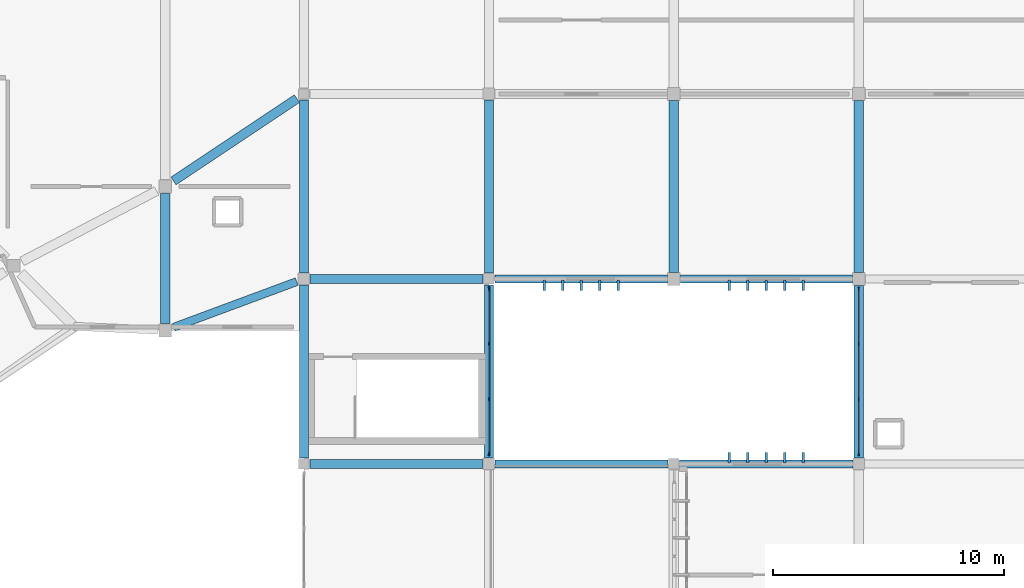
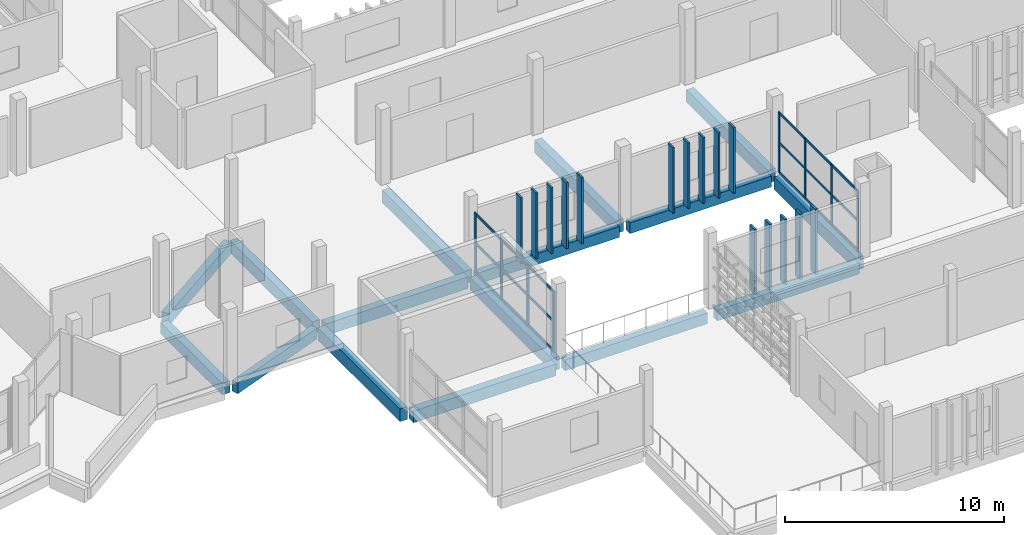
# One storey, part 10 of 63: 41 members, 16 beams, 2 elements without a shape of their own.
"""IFC4 building model written with IfcOpenShell, lengths in metres."""

from ifc_helpers import new_model, si_unit, direction, frame, origin, origin_2d, place, context, subcontext, project, spatial, rectangle, extrude, material, layer, layer_set, material_profile, profile_set, type_object, element, aggregate, save


model = new_model("IFC4")

# Units and contexts
model_context = context("Model", 3, precision=1e-05, world=origin(), true_north=direction((0.0, 1.0)))
body_context = subcontext(model_context, "Body", "Model", "MODEL_VIEW")
ifc_project = project(units=[si_unit("LENGTHUNIT", "METRE"), si_unit("AREAUNIT", "SQUARE_METRE"), si_unit("VOLUMEUNIT", "CUBIC_METRE"), si_unit("PLANEANGLEUNIT", "RADIAN"), si_unit("MASSUNIT", "GRAM", prefix="KILO")], contexts=[model_context])

# Site, building, storey
site_placement = place(None, origin())
site = spatial("IfcSite", under=ifc_project, at=site_placement, CompositionType="ELEMENT")
building_placement = place(site_placement, origin())
building = spatial("IfcBuilding", under=site, at=building_placement, Name="Jelvoka-Kovrelna Polytechnic", CompositionType="ELEMENT")
storey_placement = place(building_placement, frame((0.0, 0.0, 18.0)))
storey = spatial("IfcBuildingStorey", under=building, at=storey_placement, Name="L05", CompositionType="ELEMENT", Elevation=18.0)

# Beams
ifc_material_1 = material(Name="Concrete C40/50", Category="concrete")
ifc_material_profile_1 = material_profile(ifc_material_1, rectangle(XDim=0.39990234375, YDim=0.64990234375, at=origin_2d()), Name="RC 400x650")
ifc_profile_set_1 = profile_set([ifc_material_profile_1], Name="Concrete C40/50")
beam_type_1 = type_object("IfcBeamType", Name="Beam_RC_400x650", PredefinedType="BEAM", material=ifc_profile_set_1)
for number, where, z_axis, x_axis, name in (
    (1, (48.2548828125, 24.0, -0.574951171875), (1.0, 0.0, 0.0), (0.0, 1.0, 0.0), "L05 beam 1590"),
    (2, (48.2548828125, 32.0, -0.574951171875), (1.0, 0.0, 0.0), (0.0, 1.0, 0.0), "L05 beam 1591"),
):
    element("IfcBeam", number, at=place(storey_placement, frame(where, z_axis=z_axis, x_axis=x_axis)), inside=storey, type_object=beam_type_1, Name=name, PredefinedType="BEAM", context=body_context, shape_type="SweptSolid", body=[
        extrude(rectangle(XDim=0.39990234375, YDim=0.64990234375, at=origin_2d()), origin(), (0.0, 0.0, 1.0), 7.490234375),
    ])
beam_1_placement = place(storey_placement, frame((42.3583984375, 36.239013671875, -0.574951171875), z_axis=(0.832050294338, 0.554700196225, 0.0), x_axis=(-0.554700196225, 0.832050294338, 0.0)))
element("IfcBeam", 3, at=beam_1_placement, inside=storey, type_object=beam_type_1, Name="L05 beam 2664", PredefinedType="BEAM", context=body_context, shape_type="SweptSolid", body=[
    extrude(rectangle(XDim=0.39990234375, YDim=0.64990234375, at=origin_2d()), origin(), (0.0, 0.0, 1.0), 6.4189453125),
])
beam_2_placement = place(storey_placement, frame((42.0, 30.0771484375, -0.574951171875), z_axis=(0.0, 1.0, 0.0), x_axis=(-1.0, 0.0, 0.0)))
element("IfcBeam", 4, at=beam_2_placement, inside=storey, type_object=beam_type_1, Name="L05 beam 2665", PredefinedType="BEAM", context=body_context, shape_type="SweptSolid", body=[
    extrude(rectangle(XDim=0.39990234375, YDim=0.64990234375, at=origin_2d()), origin(), (0.0, 0.0, 1.0), 5.617919921875),
])
ifc_material_2 = material(Name="Concrete C40/50", Category="concrete")
ifc_material_profile_2 = material_profile(ifc_material_2, rectangle(XDim=0.39990234375, YDim=0.699951171875, at=origin_2d()), Name="RC 400x700")
ifc_profile_set_2 = profile_set([ifc_material_profile_2], Name="Concrete C40/50")
beam_type_2 = type_object("IfcBeamType", Name="Beam_RC_400x700", PredefinedType="BEAM", material=ifc_profile_set_2)
beam_3_placement = place(storey_placement, frame((56.0, 32.2548828125, -0.60009765625), z_axis=(0.0, 1.0, 0.0), x_axis=(-1.0, 0.0, 0.0)))
element("IfcBeam", 5, at=beam_3_placement, inside=storey, type_object=beam_type_2, Name="L05 beam 1443", PredefinedType="BEAM", context=body_context, shape_type="SweptSolid", body=[
    extrude(rectangle(XDim=0.39990234375, YDim=0.699951171875, at=origin_2d()), origin(), (0.0, 0.0, 1.0), 7.490234375),
])
for number, where, z_axis, x_axis, name in (
    (6, (64.0, 32.280029296875, -0.60009765625), (0.0, 1.0, 0.0), (-1.0, 0.0, 0.0), "L05 beam 1445"),
    (7, (72.0, 32.280029296875, -0.60009765625), (0.0, 1.0, 0.0), (-1.0, 0.0, 0.0), "L05 beam 1447"),
):
    element("IfcBeam", number, at=place(storey_placement, frame(where, z_axis=z_axis, x_axis=x_axis)), inside=storey, type_object=beam_type_2, Name=name, PredefinedType="BEAM", context=body_context, shape_type="SweptSolid", body=[
        extrude(rectangle(XDim=0.39990234375, YDim=0.699951171875, at=origin_2d()), origin(), (0.0, 0.0, 1.0), 7.43994140625),
    ])
for number, where, z_axis, x_axis, name in (
    (8, (48.0, 24.2548828125, -0.60009765625), (0.0, 1.0, 0.0), (-1.0, 0.0, 0.0), "L05 beam 1597"),
    (9, (48.0, 32.2548828125, -0.60009765625), (0.0, 1.0, 0.0), (-1.0, 0.0, 0.0), "L05 beam 1598"),
    (10, (56.0, 24.2548828125, -0.60009765625), (0.0, 1.0, 0.0), (-1.0, 0.0, 0.0), "L05 beam 1604"),
):
    element("IfcBeam", number, at=place(storey_placement, frame(where, z_axis=z_axis, x_axis=x_axis)), inside=storey, type_object=beam_type_2, Name=name, PredefinedType="BEAM", context=body_context, shape_type="SweptSolid", body=[
        extrude(rectangle(XDim=0.39990234375, YDim=0.699951171875, at=origin_2d()), origin(), (0.0, 0.0, 1.0), 7.490234375),
    ])
beam_4_placement = place(storey_placement, frame((72.0, 24.2548828125, -0.60009765625), z_axis=(0.0, 1.0, 0.0), x_axis=(-1.0, 0.0, 0.0)))
element("IfcBeam", 11, at=beam_4_placement, inside=storey, type_object=beam_type_2, Name="L05 beam 1606", PredefinedType="BEAM", context=body_context, shape_type="SweptSolid", body=[
    extrude(rectangle(XDim=0.39990234375, YDim=0.699951171875, at=origin_2d()), origin(), (0.0, 0.0, 1.0), 7.465087890625),
])

# Members
ifc_material_3 = material(Name="Precast concrete C40/50", Category="concrete")
ifc_material_profile_3 = material_profile(ifc_material_3, rectangle(XDim=0.10009765625, YDim=0.449951171875, at=origin_2d()), Name="PC 100x450")
ifc_profile_set_3 = profile_set([ifc_material_profile_3], Name="Precast concrete C40/50")
member_type_1 = type_object("IfcMemberType", Name="Louvre_Fin_100x450", PredefinedType="USERDEFINED", material=ifc_profile_set_3)
for number, where, z_axis, x_axis, name in (
    (12, (58.39990234375, 31.735107421875, -0.27001953125), (0.0, 0.0, 1.0), (1.0, 0.0, 0.0), "L05 B2W south vertical solar louvre fin 0751"),
    (13, (59.199951171875, 31.735107421875, -0.27001953125), (0.0, 0.0, 1.0), (1.0, 0.0, 0.0), "L05 B2W south vertical solar louvre fin 0752"),
    (14, (60.0, 31.735107421875, -0.27001953125), (0.0, 0.0, 1.0), (1.0, 0.0, 0.0), "L05 B2W south vertical solar louvre fin 0753"),
    (15, (60.800048828125, 31.735107421875, -0.27001953125), (0.0, 0.0, 1.0), (1.0, 0.0, 0.0), "L05 B2W south vertical solar louvre fin 0754"),
    (16, (61.60009765625, 31.735107421875, -0.27001953125), (0.0, 0.0, 1.0), (1.0, 0.0, 0.0), "L05 B2W south vertical solar louvre fin 0755"),
):
    element("IfcMember", number, at=place(storey_placement, frame(where, z_axis=z_axis, x_axis=x_axis)), inside=storey, type_object=member_type_1, Name=name, ObjectType="SUNSHADE", PredefinedType="USERDEFINED", context=body_context, shape_type="SweptSolid", body=[
        extrude(rectangle(XDim=0.10009765625, YDim=0.449951171875, at=origin_2d()), origin(), (0.0, 0.0, 1.0), 3.669921875),
    ])
for number, where, z_axis, x_axis, name in (
    (17, (66.39990234375, 31.735107421875, -0.27001953125), (0.0, 0.0, 1.0), (1.0, 0.0, 0.0), "L05 B2W south vertical solar louvre fin 0761"),
    (18, (67.199951171875, 31.735107421875, -0.27001953125), (0.0, 0.0, 1.0), (1.0, 0.0, 0.0), "L05 B2W south vertical solar louvre fin 0762"),
    (19, (68.0, 31.735107421875, -0.27001953125), (0.0, 0.0, 1.0), (1.0, 0.0, 0.0), "L05 B2W south vertical solar louvre fin 0763"),
    (20, (68.800048828125, 31.735107421875, -0.27001953125), (0.0, 0.0, 1.0), (1.0, 0.0, 0.0), "L05 B2W south vertical solar louvre fin 0764"),
    (21, (69.60009765625, 31.735107421875, -0.27001953125), (0.0, 0.0, 1.0), (1.0, 0.0, 0.0), "L05 B2W south vertical solar louvre fin 0765"),
):
    element("IfcMember", number, at=place(storey_placement, frame(where, z_axis=z_axis, x_axis=x_axis)), inside=storey, type_object=member_type_1, Name=name, ObjectType="SUNSHADE", PredefinedType="USERDEFINED", context=body_context, shape_type="SweptSolid", body=[
        extrude(rectangle(XDim=0.10009765625, YDim=0.449951171875, at=origin_2d()), origin(), (0.0, 0.0, 1.0), 3.655029296875),
    ])
ifc_material_4 = material(Name="Precast concrete C40/50", Category="concrete")
ifc_material_profile_4 = material_profile(ifc_material_4, rectangle(XDim=0.1201171875, YDim=0.449951171875, at=origin_2d()), Name="PC 120x450")
ifc_profile_set_4 = profile_set([ifc_material_profile_4], Name="Precast concrete C40/50")
member_type_2 = type_object("IfcMemberType", Name="Louvre_Fin_120x450", PredefinedType="USERDEFINED", material=ifc_profile_set_4)
for number, where, z_axis, x_axis, name in (
    (22, (66.39990234375, 24.264892578125, -0.27001953125), (0.0, 0.0, 1.0), (1.0, 0.0, 0.0), "L05 B1 north vertical solar louvre fin 0461"),
    (23, (67.199951171875, 24.264892578125, -0.27001953125), (0.0, 0.0, 1.0), (1.0, 0.0, 0.0), "L05 B1 north vertical solar louvre fin 0462"),
    (24, (68.0, 24.264892578125, -0.27001953125), (0.0, 0.0, 1.0), (1.0, 0.0, 0.0), "L05 B1 north vertical solar louvre fin 0463"),
    (25, (68.800048828125, 24.264892578125, -0.27001953125), (0.0, 0.0, 1.0), (1.0, 0.0, 0.0), "L05 B1 north vertical solar louvre fin 0464"),
    (26, (69.60009765625, 24.264892578125, -0.27001953125), (0.0, 0.0, 1.0), (1.0, 0.0, 0.0), "L05 B1 north vertical solar louvre fin 0465"),
):
    element("IfcMember", number, at=place(storey_placement, frame(where, z_axis=z_axis, x_axis=x_axis)), inside=storey, type_object=member_type_2, Name=name, ObjectType="SUNSHADE", PredefinedType="USERDEFINED", context=body_context, shape_type="SweptSolid", body=[
        extrude(rectangle(XDim=0.1201171875, YDim=0.449951171875, at=origin_2d()), origin(), (0.0, 0.0, 1.0), 3.655029296875),
    ])

# Curtain wall, members
ifc_material_5 = material(Name="Anodised aluminium 6063-T6", Category="aluminium")
ifc_layer_1 = layer(ifc_material_5, 0.159912109375)
ifc_layer_set_1 = layer_set([ifc_layer_1], Name="Anodised aluminium 6063-T6")
curtain_wall_type_1 = type_object("IfcCurtainWallType", Name="CW_LinkBridge", PredefinedType="NOTDEFINED", material=ifc_layer_set_1)
curtain_wall_1_placement = place(storey_placement, origin())
curtain_wall_1 = element("IfcCurtainWall", 27, at=curtain_wall_1_placement, inside=storey, type_object=curtain_wall_type_1, Name="L05 glazed curtain wall 148", PredefinedType="NOTDEFINED")
ifc_material_6 = material(Name="Anodised aluminium 6063-T6", Category="aluminium")
ifc_material_profile_5 = material_profile(ifc_material_6, rectangle(XDim=0.06005859375, YDim=0.159912109375, at=origin_2d()), Name="ALU 60x160")
ifc_profile_set_5 = profile_set([ifc_material_profile_5], Name="Anodised aluminium 6063-T6")
member_type_3 = type_object("IfcMemberType", Name="Mullion_M-04", PredefinedType="MULLION", material=ifc_profile_set_5)
member_1_placement = place(storey_placement, frame((72.0, 24.429931640625, -0.02490234375), z_axis=(0.0, 0.0, 1.0), x_axis=(-1.0, 0.0, 0.0)))
member_1 = element("IfcMember", 28, at=member_1_placement, type_object=member_type_3, Name="CW-04 mullion 1", PredefinedType="MULLION", context=body_context, shape_type="SweptSolid", body=[
    extrude(rectangle(XDim=0.06005859375, YDim=0.159912109375, at=origin_2d()), origin(), (0.0, 0.0, 1.0), 3.400146484375),
])
member_2_placement = place(storey_placement, frame((72.0, 26.800048828125, -0.02490234375), z_axis=(0.0, 0.0, 1.0), x_axis=(-1.0, 0.0, 0.0)))
member_2 = element("IfcMember", 29, at=member_2_placement, type_object=member_type_3, Name="CW-04 mullion 2", PredefinedType="MULLION", context=body_context, shape_type="SweptSolid", body=[
    extrude(rectangle(XDim=0.06005859375, YDim=0.159912109375, at=origin_2d()), origin(), (0.0, 0.0, 1.0), 3.400146484375),
])
member_3_placement = place(storey_placement, frame((72.0, 29.199951171875, -0.02490234375), z_axis=(0.0, 0.0, 1.0), x_axis=(-1.0, 0.0, 0.0)))
member_3 = element("IfcMember", 30, at=member_3_placement, type_object=member_type_3, Name="CW-04 mullion 3", PredefinedType="MULLION", context=body_context, shape_type="SweptSolid", body=[
    extrude(rectangle(XDim=0.06005859375, YDim=0.159912109375, at=origin_2d()), origin(), (0.0, 0.0, 1.0), 3.400146484375),
])
member_4_placement = place(storey_placement, frame((72.0, 31.570068359375, -0.02490234375), z_axis=(0.0, 0.0, 1.0), x_axis=(-1.0, 0.0, 0.0)))
member_4 = element("IfcMember", 31, at=member_4_placement, type_object=member_type_3, Name="CW-04 mullion 4", PredefinedType="MULLION", context=body_context, shape_type="SweptSolid", body=[
    extrude(rectangle(XDim=0.06005859375, YDim=0.159912109375, at=origin_2d()), origin(), (0.0, 0.0, 1.0), 3.400146484375),
])

ifc_material_7 = material(Name="Anodised aluminium 6063-T6", Category="aluminium")
ifc_layer_2 = layer(ifc_material_7, 0.179931640625)
ifc_layer_set_2 = layer_set([ifc_layer_2], Name="Anodised aluminium 6063-T6")
curtain_wall_type_2 = type_object("IfcCurtainWallType", Name="CW_Pavilion", PredefinedType="NOTDEFINED", material=ifc_layer_set_2)
curtain_wall_2_placement = place(storey_placement, origin())
curtain_wall_2 = element("IfcCurtainWall", 32, at=curtain_wall_2_placement, inside=storey, type_object=curtain_wall_type_2, Name="L05 glazed curtain wall 152", PredefinedType="NOTDEFINED")
ifc_material_8 = material(Name="Anodised aluminium 6063-T6", Category="aluminium")
ifc_material_profile_6 = material_profile(ifc_material_8, rectangle(XDim=0.06494140625, YDim=0.179931640625, at=origin_2d()), Name="ALU 65x180")
ifc_profile_set_6 = profile_set([ifc_material_profile_6], Name="Anodised aluminium 6063-T6")
member_type_4 = type_object("IfcMemberType", Name="Mullion_M-05", PredefinedType="MULLION", material=ifc_profile_set_6)
member_5_placement = place(storey_placement, frame((56.0, 31.5673828125, -0.02490234375), z_axis=(0.0, 0.0, 1.0), x_axis=(1.0, 0.0, 0.0)))
member_5 = element("IfcMember", 33, at=member_5_placement, type_object=member_type_4, Name="CW-05 mullion 1", PredefinedType="MULLION", context=body_context, shape_type="SweptSolid", body=[
    extrude(rectangle(XDim=0.06494140625, YDim=0.179931640625, at=origin_2d()), origin(), (0.0, 0.0, 1.0), 3.400146484375),
])
member_6_placement = place(storey_placement, frame((56.0, 29.199951171875, -0.02490234375), z_axis=(0.0, 0.0, 1.0), x_axis=(1.0, 0.0, 0.0)))
member_6 = element("IfcMember", 34, at=member_6_placement, type_object=member_type_4, Name="CW-05 mullion 2", PredefinedType="MULLION", context=body_context, shape_type="SweptSolid", body=[
    extrude(rectangle(XDim=0.06494140625, YDim=0.179931640625, at=origin_2d()), origin(), (0.0, 0.0, 1.0), 3.400146484375),
])
member_7_placement = place(storey_placement, frame((56.0, 26.800048828125, -0.02490234375), z_axis=(0.0, 0.0, 1.0), x_axis=(1.0, 0.0, 0.0)))
member_7 = element("IfcMember", 35, at=member_7_placement, type_object=member_type_4, Name="CW-05 mullion 3", PredefinedType="MULLION", context=body_context, shape_type="SweptSolid", body=[
    extrude(rectangle(XDim=0.06494140625, YDim=0.179931640625, at=origin_2d()), origin(), (0.0, 0.0, 1.0), 3.400146484375),
])
member_8_placement = place(storey_placement, frame((56.0, 24.4326171875, -0.02490234375), z_axis=(0.0, 0.0, 1.0), x_axis=(1.0, 0.0, 0.0)))
member_8 = element("IfcMember", 36, at=member_8_placement, type_object=member_type_4, Name="CW-05 mullion 4", PredefinedType="MULLION", context=body_context, shape_type="SweptSolid", body=[
    extrude(rectangle(XDim=0.06494140625, YDim=0.179931640625, at=origin_2d()), origin(), (0.0, 0.0, 1.0), 3.400146484375),
])

# Beams
ifc_material_9 = material(Name="Concrete C40/50", Category="concrete")
ifc_material_profile_7 = material_profile(ifc_material_9, rectangle(XDim=0.35009765625, YDim=0.60009765625, at=origin_2d()), Name="RC 350x600")
ifc_profile_set_7 = profile_set([ifc_material_profile_7], Name="Concrete C40/50")
beam_type_3 = type_object("IfcBeamType", Name="Spandrel_RC_350x600", PredefinedType="SPANDREL", material=ifc_profile_set_7)
beam_5_placement = place(storey_placement, frame((64.2548828125, 24.0, -0.550048828125), z_axis=(1.0, 0.0, 0.0), x_axis=(0.0, 1.0, 0.0)))
element("IfcBeam", 37, at=beam_5_placement, inside=storey, type_object=beam_type_3, Name="L05 beam 1378", PredefinedType="SPANDREL", context=body_context, shape_type="SweptSolid", body=[
    extrude(rectangle(XDim=0.35009765625, YDim=0.60009765625, at=origin_2d()), origin(), (0.0, 0.0, 1.0), 7.490234375),
])
beam_6_placement = place(storey_placement, frame((56.2548828125, 32.0, -0.550048828125), z_axis=(1.0, 0.0, 0.0), x_axis=(0.0, 1.0, 0.0)))
element("IfcBeam", 38, at=beam_6_placement, inside=storey, type_object=beam_type_3, Name="L05 beam 1423", PredefinedType="SPANDREL", context=body_context, shape_type="SweptSolid", body=[
    extrude(rectangle(XDim=0.35009765625, YDim=0.60009765625, at=origin_2d()), origin(), (0.0, 0.0, 1.0), 7.465087890625),
])
beam_7_placement = place(storey_placement, frame((64.280029296875, 32.0, -0.550048828125), z_axis=(1.0, 0.0, 0.0), x_axis=(0.0, 1.0, 0.0)))
element("IfcBeam", 39, at=beam_7_placement, inside=storey, type_object=beam_type_3, Name="L05 beam 1424", PredefinedType="SPANDREL", context=body_context, shape_type="SweptSolid", body=[
    extrude(rectangle(XDim=0.35009765625, YDim=0.60009765625, at=origin_2d()), origin(), (0.0, 0.0, 1.0), 7.43994140625),
])
beam_8_placement = place(storey_placement, frame((56.2548828125, 24.0, -0.52001953125), z_axis=(1.0, 0.0, 0.0), x_axis=(0.0, 1.0, 0.0)))
element("IfcBeam", 40, at=beam_8_placement, inside=storey, type_object=beam_type_3, Name="L05 beam 1616", PredefinedType="SPANDREL", context=body_context, shape_type="SweptSolid", body=[
    extrude(rectangle(XDim=0.35009765625, YDim=0.60009765625, at=origin_2d()), origin(), (0.0, 0.0, 1.0), 7.490234375),
])
beam_9_placement = place(storey_placement, frame((42.372802734375, 29.91064453125, -0.550048828125), z_axis=(0.937471049068, 0.348063258846, 0.0), x_axis=(-0.348063258846, 0.937471049068, 0.0)))
element("IfcBeam", 41, at=beam_9_placement, inside=storey, type_object=beam_type_3, Name="L05 beam 2660", PredefinedType="SPANDREL", context=body_context, shape_type="SweptSolid", body=[
    extrude(rectangle(XDim=0.35009765625, YDim=0.60009765625, at=origin_2d()), origin(), (0.0, 0.0, 1.0), 5.6689453125),
])

# Member
ifc_material_10 = material(Name="Anodised aluminium 6063-T6", Category="aluminium")
ifc_material_profile_8 = material_profile(ifc_material_10, rectangle(XDim=0.06005859375, YDim=0.1201171875, at=origin_2d()), Name="ALU 60x120")
ifc_profile_set_8 = profile_set([ifc_material_profile_8], Name="Anodised aluminium 6063-T6")
member_type_5 = type_object("IfcMemberType", Name="Transom_T-04", PredefinedType="USERDEFINED", material=ifc_profile_set_8)
member_9_placement = place(storey_placement, frame((72.0, 24.4599609375, 0.030029296875), z_axis=(0.0, 1.0, 0.0), x_axis=(-1.0, 0.0, 0.0)))
member_9 = element("IfcMember", 42, at=member_9_placement, type_object=member_type_5, Name="CW-04 transom 1.1", ObjectType="TRANSOM", PredefinedType="USERDEFINED", context=body_context, shape_type="SweptSolid", body=[
    extrude(rectangle(XDim=0.06005859375, YDim=0.1201171875, at=origin_2d()), origin(), (0.0, 0.0, 1.0), 2.31005859375),
])

member_10_placement = place(storey_placement, frame((72.0, 24.4599609375, 1.675048828125), z_axis=(0.0, 1.0, 0.0), x_axis=(-1.0, 0.0, 0.0)))
member_10 = element("IfcMember", 43, at=member_10_placement, type_object=member_type_5, Name="CW-04 transom 1.2", ObjectType="TRANSOM", PredefinedType="USERDEFINED", context=body_context, shape_type="SweptSolid", body=[
    extrude(rectangle(XDim=0.06005859375, YDim=0.1201171875, at=origin_2d()), origin(), (0.0, 0.0, 1.0), 2.31005859375),
])

member_11_placement = place(storey_placement, frame((72.0, 24.4599609375, 3.320068359375), z_axis=(0.0, 1.0, 0.0), x_axis=(-1.0, 0.0, 0.0)))
member_11 = element("IfcMember", 44, at=member_11_placement, type_object=member_type_5, Name="CW-04 transom 1.3", ObjectType="TRANSOM", PredefinedType="USERDEFINED", context=body_context, shape_type="SweptSolid", body=[
    extrude(rectangle(XDim=0.06005859375, YDim=0.1201171875, at=origin_2d()), origin(), (0.0, 0.0, 1.0), 2.31005859375),
])

member_12_placement = place(storey_placement, frame((72.0, 26.830078125, 0.030029296875), z_axis=(0.0, 1.0, 0.0), x_axis=(-1.0, 0.0, 0.0)))
member_12 = element("IfcMember", 45, at=member_12_placement, type_object=member_type_5, Name="CW-04 transom 2.1", ObjectType="TRANSOM", PredefinedType="USERDEFINED", context=body_context, shape_type="SweptSolid", body=[
    extrude(rectangle(XDim=0.06005859375, YDim=0.1201171875, at=origin_2d()), origin(), (0.0, 0.0, 1.0), 2.33984375),
])

member_13_placement = place(storey_placement, frame((72.0, 26.830078125, 1.675048828125), z_axis=(0.0, 1.0, 0.0), x_axis=(-1.0, 0.0, 0.0)))
member_13 = element("IfcMember", 46, at=member_13_placement, type_object=member_type_5, Name="CW-04 transom 2.2", ObjectType="TRANSOM", PredefinedType="USERDEFINED", context=body_context, shape_type="SweptSolid", body=[
    extrude(rectangle(XDim=0.06005859375, YDim=0.1201171875, at=origin_2d()), origin(), (0.0, 0.0, 1.0), 2.33984375),
])

member_14_placement = place(storey_placement, frame((72.0, 26.830078125, 3.320068359375), z_axis=(0.0, 1.0, 0.0), x_axis=(-1.0, 0.0, 0.0)))
member_14 = element("IfcMember", 47, at=member_14_placement, type_object=member_type_5, Name="CW-04 transom 2.3", ObjectType="TRANSOM", PredefinedType="USERDEFINED", context=body_context, shape_type="SweptSolid", body=[
    extrude(rectangle(XDim=0.06005859375, YDim=0.1201171875, at=origin_2d()), origin(), (0.0, 0.0, 1.0), 2.33984375),
])

member_15_placement = place(storey_placement, frame((72.0, 29.22998046875, 0.030029296875), z_axis=(0.0, 1.0, 0.0), x_axis=(-1.0, 0.0, 0.0)))
member_15 = element("IfcMember", 48, at=member_15_placement, type_object=member_type_5, Name="CW-04 transom 3.1", ObjectType="TRANSOM", PredefinedType="USERDEFINED", context=body_context, shape_type="SweptSolid", body=[
    extrude(rectangle(XDim=0.06005859375, YDim=0.1201171875, at=origin_2d()), origin(), (0.0, 0.0, 1.0), 2.31005859375),
])

member_16_placement = place(storey_placement, frame((72.0, 29.22998046875, 1.675048828125), z_axis=(0.0, 1.0, 0.0), x_axis=(-1.0, 0.0, 0.0)))
member_16 = element("IfcMember", 49, at=member_16_placement, type_object=member_type_5, Name="CW-04 transom 3.2", ObjectType="TRANSOM", PredefinedType="USERDEFINED", context=body_context, shape_type="SweptSolid", body=[
    extrude(rectangle(XDim=0.06005859375, YDim=0.1201171875, at=origin_2d()), origin(), (0.0, 0.0, 1.0), 2.31005859375),
])

member_17_placement = place(storey_placement, frame((72.0, 29.22998046875, 3.320068359375), z_axis=(0.0, 1.0, 0.0), x_axis=(-1.0, 0.0, 0.0)))
member_17 = element("IfcMember", 50, at=member_17_placement, type_object=member_type_5, Name="CW-04 transom 3.3", ObjectType="TRANSOM", PredefinedType="USERDEFINED", context=body_context, shape_type="SweptSolid", body=[
    extrude(rectangle(XDim=0.06005859375, YDim=0.1201171875, at=origin_2d()), origin(), (0.0, 0.0, 1.0), 2.31005859375),
])

aggregate(curtain_wall_1, [member_1, member_2, member_3, member_4, member_9, member_10, member_11, member_12, member_13, member_14, member_15, member_16, member_17])

ifc_material_11 = material(Name="Anodised aluminium 6063-T6", Category="aluminium")
ifc_material_profile_9 = material_profile(ifc_material_11, rectangle(XDim=0.06494140625, YDim=0.135009765625, at=origin_2d()), Name="ALU 65x135")
ifc_profile_set_9 = profile_set([ifc_material_profile_9], Name="Anodised aluminium 6063-T6")
member_type_6 = type_object("IfcMemberType", Name="Transom_T-05", PredefinedType="USERDEFINED", material=ifc_profile_set_9)
member_18_placement = place(storey_placement, frame((56.0, 31.534912109375, 0.032470703125), z_axis=(0.0, -1.0, 0.0), x_axis=(1.0, 0.0, 0.0)))
member_18 = element("IfcMember", 51, at=member_18_placement, type_object=member_type_6, Name="CW-05 transom 1.1", ObjectType="TRANSOM", PredefinedType="USERDEFINED", context=body_context, shape_type="SweptSolid", body=[
    extrude(rectangle(XDim=0.06494140625, YDim=0.135009765625, at=origin_2d()), origin(), (0.0, 0.0, 1.0), 2.302490234375),
])

member_19_placement = place(storey_placement, frame((56.0, 31.534912109375, 1.675048828125), z_axis=(0.0, -1.0, 0.0), x_axis=(1.0, 0.0, 0.0)))
member_19 = element("IfcMember", 52, at=member_19_placement, type_object=member_type_6, Name="CW-05 transom 1.2", ObjectType="TRANSOM", PredefinedType="USERDEFINED", context=body_context, shape_type="SweptSolid", body=[
    extrude(rectangle(XDim=0.06494140625, YDim=0.135009765625, at=origin_2d()), origin(), (0.0, 0.0, 1.0), 2.302490234375),
])

member_20_placement = place(storey_placement, frame((56.0, 31.534912109375, 3.3173828125), z_axis=(0.0, -1.0, 0.0), x_axis=(1.0, 0.0, 0.0)))
member_20 = element("IfcMember", 53, at=member_20_placement, type_object=member_type_6, Name="CW-05 transom 1.3", ObjectType="TRANSOM", PredefinedType="USERDEFINED", context=body_context, shape_type="SweptSolid", body=[
    extrude(rectangle(XDim=0.06494140625, YDim=0.135009765625, at=origin_2d()), origin(), (0.0, 0.0, 1.0), 2.302490234375),
])

member_21_placement = place(storey_placement, frame((56.0, 29.16748046875, 0.032470703125), z_axis=(0.0, -1.0, 0.0), x_axis=(1.0, 0.0, 0.0)))
member_21 = element("IfcMember", 54, at=member_21_placement, type_object=member_type_6, Name="CW-05 transom 2.1", ObjectType="TRANSOM", PredefinedType="USERDEFINED", context=body_context, shape_type="SweptSolid", body=[
    extrude(rectangle(XDim=0.06494140625, YDim=0.135009765625, at=origin_2d()), origin(), (0.0, 0.0, 1.0), 2.3349609375),
])

member_22_placement = place(storey_placement, frame((56.0, 29.16748046875, 1.675048828125), z_axis=(0.0, -1.0, 0.0), x_axis=(1.0, 0.0, 0.0)))
member_22 = element("IfcMember", 55, at=member_22_placement, type_object=member_type_6, Name="CW-05 transom 2.2", ObjectType="TRANSOM", PredefinedType="USERDEFINED", context=body_context, shape_type="SweptSolid", body=[
    extrude(rectangle(XDim=0.06494140625, YDim=0.135009765625, at=origin_2d()), origin(), (0.0, 0.0, 1.0), 2.3349609375),
])

member_23_placement = place(storey_placement, frame((56.0, 29.16748046875, 3.3173828125), z_axis=(0.0, -1.0, 0.0), x_axis=(1.0, 0.0, 0.0)))
member_23 = element("IfcMember", 56, at=member_23_placement, type_object=member_type_6, Name="CW-05 transom 2.3", ObjectType="TRANSOM", PredefinedType="USERDEFINED", context=body_context, shape_type="SweptSolid", body=[
    extrude(rectangle(XDim=0.06494140625, YDim=0.135009765625, at=origin_2d()), origin(), (0.0, 0.0, 1.0), 2.3349609375),
])

member_24_placement = place(storey_placement, frame((56.0, 26.767578125, 0.032470703125), z_axis=(0.0, -1.0, 0.0), x_axis=(1.0, 0.0, 0.0)))
member_24 = element("IfcMember", 57, at=member_24_placement, type_object=member_type_6, Name="CW-05 transom 3.1", ObjectType="TRANSOM", PredefinedType="USERDEFINED", context=body_context, shape_type="SweptSolid", body=[
    extrude(rectangle(XDim=0.06494140625, YDim=0.135009765625, at=origin_2d()), origin(), (0.0, 0.0, 1.0), 2.302490234375),
])

member_25_placement = place(storey_placement, frame((56.0, 26.767578125, 1.675048828125), z_axis=(0.0, -1.0, 0.0), x_axis=(1.0, 0.0, 0.0)))
member_25 = element("IfcMember", 58, at=member_25_placement, type_object=member_type_6, Name="CW-05 transom 3.2", ObjectType="TRANSOM", PredefinedType="USERDEFINED", context=body_context, shape_type="SweptSolid", body=[
    extrude(rectangle(XDim=0.06494140625, YDim=0.135009765625, at=origin_2d()), origin(), (0.0, 0.0, 1.0), 2.302490234375),
])

member_26_placement = place(storey_placement, frame((56.0, 26.767578125, 3.3173828125), z_axis=(0.0, -1.0, 0.0), x_axis=(1.0, 0.0, 0.0)))
member_26 = element("IfcMember", 59, at=member_26_placement, type_object=member_type_6, Name="CW-05 transom 3.3", ObjectType="TRANSOM", PredefinedType="USERDEFINED", context=body_context, shape_type="SweptSolid", body=[
    extrude(rectangle(XDim=0.06494140625, YDim=0.135009765625, at=origin_2d()), origin(), (0.0, 0.0, 1.0), 2.302490234375),
])

aggregate(curtain_wall_2, [member_5, member_6, member_7, member_8, member_18, member_19, member_20, member_21, member_22, member_23, member_24, member_25, member_26])

save(model, "model.ifc")
